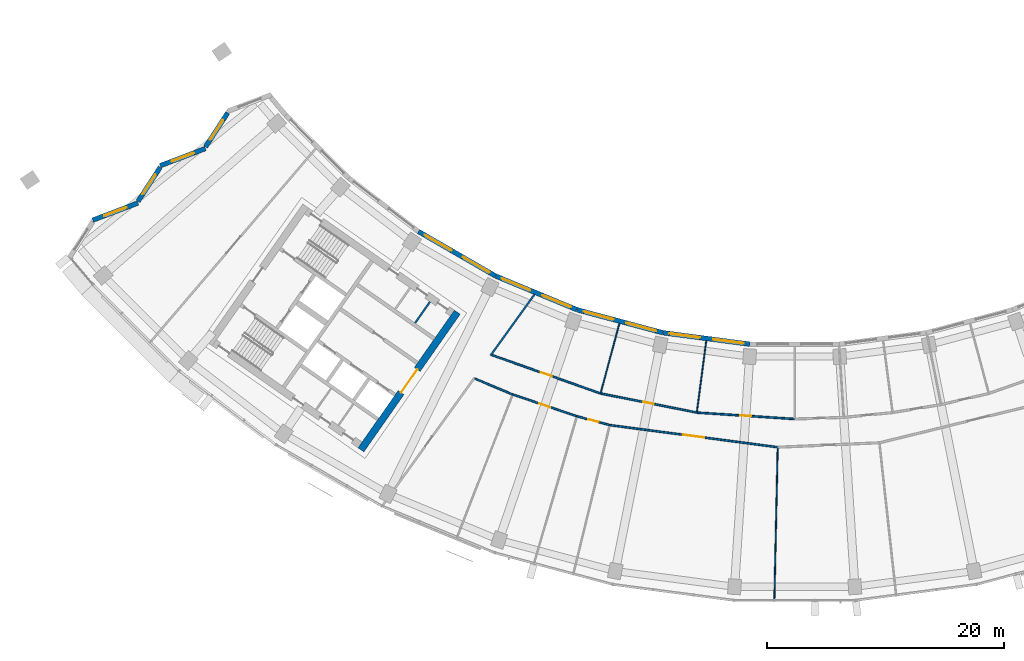
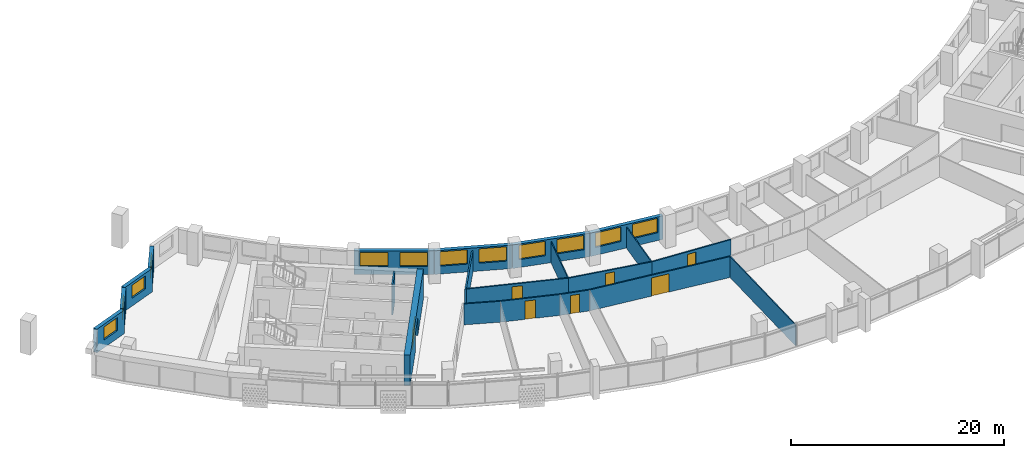
# One storey, part 4 of 26: 21 walls, 12 windows, 7 doors, 19 openings.
"""IFC4 building model written with IfcOpenShell, lengths in metres."""

from ifc_helpers import new_model, si_unit, direction, frame, frame_2d, origin, place, context, subcontext, project, spatial, rectangle, extrude, material, layer, layer_set, type_object, element, fill, save


model = new_model("IFC4")

# Units and contexts
model_context = context("Model", 3, precision=1e-05, world=origin(), true_north=direction((0.0, 1.0)))
body_context = subcontext(model_context, "Body", "Model", "MODEL_VIEW")
ifc_project = project(units=[si_unit("LENGTHUNIT", "METRE"), si_unit("AREAUNIT", "SQUARE_METRE"), si_unit("VOLUMEUNIT", "CUBIC_METRE"), si_unit("PLANEANGLEUNIT", "RADIAN"), si_unit("MASSUNIT", "GRAM", prefix="KILO")], contexts=[model_context])

# Site, building, storey
site_placement = place(None, origin())
site = spatial("IfcSite", under=ifc_project, at=site_placement, CompositionType="ELEMENT")
building_placement = place(site_placement, origin())
building = spatial("IfcBuilding", under=site, at=building_placement, Name="Qamariyya Broadcast Tower", CompositionType="ELEMENT")
storey_placement = place(building_placement, frame((0.0, 0.0, 183.5)))
storey = spatial("IfcBuildingStorey", under=building, at=storey_placement, Name="L43", CompositionType="ELEMENT", Elevation=183.5)

# Wall, opening, door
ifc_material_1 = material(Name="Concrete C60/75", Category="concrete")
ifc_layer_1 = layer(ifc_material_1, 0.60009765625)
ifc_layer_set_1 = layer_set([ifc_layer_1], Name="Core wall 600 mm Concrete C60/75")
wall_type_1 = type_object("IfcWallType", Name="Core wall 600 mm Concrete C60/75", PredefinedType="SHEAR", material=ifc_layer_set_1)
wall_1_placement = place(storey_placement, frame((-36.66748046875, -66.005126953125, 0.0), z_axis=(0.0, 0.0, 1.0), x_axis=(0.573568499524, 0.819157601658, 0.0)))
wall_1 = element("IfcWall", 1, at=wall_1_placement, inside=storey, type_object=wall_type_1, Name="k-W-L43-WA", PredefinedType="SHEAR", context=body_context, shape_type="SweptSolid", body=[
    extrude(rectangle(XDim=14.19970703125, YDim=0.60009765625, at=frame_2d((7.099853515625, 0.0))), origin(), (0.0, 0.0, 1.0), 3.5),
])
opening_1_placement = place(wall_1_placement, frame((5.89990234375, 0.0, 0.0)))
opening_1 = element("IfcOpeningElement", 2, at=opening_1_placement, cuts=wall_1, Name="Opening KD3-W1", PredefinedType="OPENING", context=body_context, shape_type="SweptSolid", body=[
    extrude(rectangle(XDim=2.39990234375, YDim=2.10009765625, at=frame_2d((1.199951171875, 1.050048828125))), frame((0.0, 0.31005859375, 0.0), z_axis=(0.0, -1.0, 0.0), x_axis=(1.0, 0.0, 0.0)), (0.0, 0.0, 1.0), 0.6201171875),
])
ifc_material_2 = material(Name="Steel fire-resisting door leaf", Category="steel")
door_type_1 = type_object("IfcDoorType", Name="Lift lobby door KD3", OperationType="DOUBLE_DOOR_SINGLE_SWING", PredefinedType="DOOR", material=ifc_material_2)
door_1_placement = place(opening_1_placement, origin())
door_1 = element("IfcDoor", 3, at=door_1_placement, inside=storey, type_object=door_type_1, Name="k-W-L43-WA-D1", OperationType="DOUBLE_DOOR_SINGLE_SWING", OverallHeight=2.10009765625, OverallWidth=2.39990234375, PredefinedType="DOOR", context=body_context, shape_type="SweptSolid", body=[
    extrude(rectangle(XDim=2.39990234375, YDim=2.10009765625, at=frame_2d((1.199951171875, 1.050048828125))), frame((0.0, 0.02490234375, 0.0), z_axis=(0.0, -1.0, 0.0), x_axis=(1.0, 0.0, 0.0)), (0.0, 0.0, 1.0), 0.050048828125),
])
fill(opening_1, door_1)

# Wall
ifc_material_3 = material(Name="Gypsum board partition")
ifc_layer_2 = layer(ifc_material_3, 0.14990234375)
ifc_layer_set_2 = layer_set([ifc_layer_2], Name="Corridor partition 150 EI 60")
wall_type_2 = type_object("IfcWallType", Name="Corridor partition 150 EI 60", PredefinedType="PARTITIONING", material=ifc_layer_set_2)
wall_2_placement = place(storey_placement, frame((-27.031494140625, -59.989013671875, 0.0), z_axis=(0.0, 0.0, 1.0), x_axis=(0.921979582273, -0.38723849224, 0.0)))
element("IfcWall", 4, at=wall_2_placement, inside=storey, type_object=wall_type_2, Name="Partition L43-004", PredefinedType="PARTITIONING", context=body_context, shape_type="SweptSolid", body=[
    extrude(rectangle(XDim=3.454345703125, YDim=0.14990234375, at=frame_2d((1.72705078125, 0.0))), origin(), (0.0, 0.0, 1.0), 2.39990234375),
])

# Wall, opening, door
wall_3_placement = place(storey_placement, frame((-25.598388671875, -57.99609375, 0.0), z_axis=(0.0, 0.0, 1.0), x_axis=(0.942977382292, -0.332856810785, 0.0)))
wall_3 = element("IfcWall", 5, at=wall_3_placement, inside=storey, type_object=wall_type_2, Name="Partition L43-005", PredefinedType="PARTITIONING", context=body_context, shape_type="SweptSolid", body=[
    extrude(rectangle(XDim=9.744873046875, YDim=0.14990234375, at=frame_2d((4.87255859375, 0.0))), origin(), (0.0, 0.0, 1.0), 2.39990234375),
])
opening_2_placement = place(wall_3_placement, frame((4.37255859375, 0.0, 0.0)))
opening_2 = element("IfcOpeningElement", 6, at=opening_2_placement, cuts=wall_3, Name="Opening L43-D08", PredefinedType="OPENING", context=body_context, shape_type="SweptSolid", body=[
    extrude(rectangle(XDim=1.0, YDim=2.10009765625, at=frame_2d((0.5, 1.050048828125))), frame((0.0, 0.0849609375, 0.0), z_axis=(0.0, -1.0, 0.0), x_axis=(1.0, 0.0, 0.0)), (0.0, 0.0, 1.0), 0.169921875),
])
ifc_material_4 = material(Name="Timber fire door leaf", Category="wood")
door_type_2 = type_object("IfcDoorType", Name="Fire door 1000 x 2100 FD60", OperationType="NOTDEFINED", PredefinedType="DOOR", material=ifc_material_4)
door_2_placement = place(opening_2_placement, origin())
door_2 = element("IfcDoor", 7, at=door_2_placement, inside=storey, type_object=door_type_2, Name="Door L43-D08", OperationType="SINGLE_SWING_RIGHT", OverallHeight=2.10009765625, OverallWidth=1.0, PredefinedType="DOOR", context=body_context, shape_type="SweptSolid", body=[
    extrude(rectangle(XDim=1.0, YDim=2.10009765625, at=frame_2d((0.5, 1.050048828125))), frame((0.0, 0.02490234375, 0.0), z_axis=(0.0, -1.0, 0.0), x_axis=(1.0, 0.0, 0.0)), (0.0, 0.0, 1.0), 0.050048828125),
])
fill(opening_2, door_2)

wall_4_placement = place(storey_placement, frame((-18.41455078125, -63.170654296875, 0.0), z_axis=(0.0, 0.0, 1.0), x_axis=(-0.94692828042, 0.32144491245, 0.0)))
wall_4 = element("IfcWall", 8, at=wall_4_placement, inside=storey, type_object=wall_type_2, Name="Partition L43-006", PredefinedType="PARTITIONING", context=body_context, shape_type="SweptSolid", body=[
    extrude(rectangle(XDim=5.736572265625, YDim=0.14990234375, at=frame_2d((2.8681640625, 0.0))), origin(), (0.0, 0.0, 1.0), 2.39990234375),
])
opening_3_placement = place(wall_4_placement, frame((2.368408203125, 0.0, 0.0)))
opening_3 = element("IfcOpeningElement", 9, at=opening_3_placement, cuts=wall_4, Name="Opening L43-D02", PredefinedType="OPENING", context=body_context, shape_type="SweptSolid", body=[
    extrude(rectangle(XDim=1.0, YDim=2.10009765625, at=frame_2d((0.5, 1.050048828125))), frame((0.0, 0.0849609375, 0.0), z_axis=(0.0, -1.0, 0.0), x_axis=(1.0, 0.0, 0.0)), (0.0, 0.0, 1.0), 0.169921875),
])
door_3_placement = place(opening_3_placement, origin())
door_3 = element("IfcDoor", 10, at=door_3_placement, inside=storey, type_object=door_type_2, Name="Door L43-D02", OperationType="SINGLE_SWING_RIGHT", OverallHeight=2.10009765625, OverallWidth=1.0, PredefinedType="DOOR", context=body_context, shape_type="SweptSolid", body=[
    extrude(rectangle(XDim=1.0, YDim=2.10009765625, at=frame_2d((0.5, 1.050048828125))), frame((0.0, 0.02490234375, 0.0), z_axis=(0.0, -1.0, 0.0), x_axis=(1.0, 0.0, 0.0)), (0.0, 0.0, 1.0), 0.050048828125),
])
fill(opening_3, door_3)

# Wall
wall_5_placement = place(storey_placement, frame((-22.0, -52.873046875, 0.0), z_axis=(0.0, 0.0, 1.0), x_axis=(-0.58417014289, -0.811631224236, 0.0)))
element("IfcWall", 11, at=wall_5_placement, inside=storey, type_object=wall_type_2, Name="Partition L43-008", PredefinedType="PARTITIONING", context=body_context, shape_type="SweptSolid", body=[
    extrude(rectangle(XDim=6.356201171875, YDim=0.14990234375, at=frame_2d((3.17822265625, 0.0))), origin(), (0.0, 0.0, 1.0), 2.39990234375),
])

# Wall, opening, door
wall_6_placement = place(storey_placement, frame((-15.637939453125, -63.914794921875, 0.0), z_axis=(0.0, 0.0, 1.0), x_axis=(-0.965912791771, 0.258867685687, 0.0)))
wall_6 = element("IfcWall", 12, at=wall_6_placement, inside=storey, type_object=wall_type_2, Name="Partition L43-010", PredefinedType="PARTITIONING", context=body_context, shape_type="SweptSolid", body=[
    extrude(rectangle(XDim=2.87451171875, YDim=0.14990234375, at=frame_2d((1.437255859375, 0.0))), origin(), (0.0, 0.0, 1.0), 2.39990234375),
])
opening_4_placement = place(wall_6_placement, frame((0.9873046875, 0.0, 0.0)))
opening_4 = element("IfcOpeningElement", 13, at=opening_4_placement, cuts=wall_6, Name="Opening L43-D03", PredefinedType="OPENING", context=body_context, shape_type="SweptSolid", body=[
    extrude(rectangle(XDim=0.89990234375, YDim=2.10009765625, at=frame_2d((0.449951171875, 1.050048828125))), frame((0.0, 0.0849609375, 0.0), z_axis=(0.0, -1.0, 0.0), x_axis=(1.0, 0.0, 0.0)), (0.0, 0.0, 1.0), 0.169921875),
])
door_type_3 = type_object("IfcDoorType", Name="Fire door 900 x 2100 FD60", OperationType="NOTDEFINED", PredefinedType="DOOR", material=ifc_material_4)
door_4_placement = place(opening_4_placement, origin())
door_4 = element("IfcDoor", 14, at=door_4_placement, inside=storey, type_object=door_type_3, Name="Door L43-D03", OperationType="SINGLE_SWING_RIGHT", OverallHeight=2.10009765625, OverallWidth=0.89990234375, PredefinedType="DOOR", context=body_context, shape_type="SweptSolid", body=[
    extrude(rectangle(XDim=0.89990234375, YDim=2.10009765625, at=frame_2d((0.449951171875, 1.050048828125))), frame((0.0, 0.02490234375, 0.0), z_axis=(0.0, -1.0, 0.0), x_axis=(1.0, 0.0, 0.0)), (0.0, 0.0, 1.0), 0.050048828125),
])
fill(opening_4, door_4)

wall_7_placement = place(storey_placement, frame((-16.4091796875, -61.23974609375, 0.0), z_axis=(0.0, 0.0, 1.0), x_axis=(0.98078508005, -0.195091329256, 0.0)))
wall_7 = element("IfcWall", 15, at=wall_7_placement, inside=storey, type_object=wall_type_2, Name="Partition L43-011", PredefinedType="PARTITIONING", context=body_context, shape_type="SweptSolid", body=[
    extrude(rectangle(XDim=8.293212890625, YDim=0.14990234375, at=frame_2d((4.146484375, 0.0))), origin(), (0.0, 0.0, 1.0), 2.39990234375),
])
opening_5_placement = place(wall_7_placement, frame((3.696533203125, 0.0, 0.0)))
opening_5 = element("IfcOpeningElement", 16, at=opening_5_placement, cuts=wall_7, Name="Opening L43-D09", PredefinedType="OPENING", context=body_context, shape_type="SweptSolid", body=[
    extrude(rectangle(XDim=0.89990234375, YDim=2.10009765625, at=frame_2d((0.449951171875, 1.050048828125))), frame((0.0, 0.0849609375, 0.0), z_axis=(0.0, -1.0, 0.0), x_axis=(1.0, 0.0, 0.0)), (0.0, 0.0, 1.0), 0.169921875),
])
door_5_placement = place(opening_5_placement, origin())
door_5 = element("IfcDoor", 17, at=door_5_placement, inside=storey, type_object=door_type_3, Name="Door L43-D09", OperationType="SINGLE_SWING_RIGHT", OverallHeight=2.10009765625, OverallWidth=0.89990234375, PredefinedType="DOOR", context=body_context, shape_type="SweptSolid", body=[
    extrude(rectangle(XDim=0.89990234375, YDim=2.10009765625, at=frame_2d((0.449951171875, 1.050048828125))), frame((0.0, 0.02490234375, 0.0), z_axis=(0.0, -1.0, 0.0), x_axis=(1.0, 0.0, 0.0)), (0.0, 0.0, 1.0), 0.050048828125),
])
fill(opening_5, door_5)

wall_8_placement = place(storey_placement, frame((-1.437255859375, -65.7841796875, 0.0), z_axis=(0.0, 0.0, 1.0), x_axis=(-0.991446403545, 0.130514477735, 0.0)))
wall_8 = element("IfcWall", 18, at=wall_8_placement, inside=storey, type_object=wall_type_2, Name="Partition L43-012", PredefinedType="PARTITIONING", context=body_context, shape_type="SweptSolid", body=[
    extrude(rectangle(XDim=14.3232421875, YDim=0.14990234375, at=frame_2d((7.16162109375, 0.0))), origin(), (0.0, 0.0, 1.0), 2.39990234375),
])
opening_6_placement = place(wall_8_placement, frame((6.26171875, 0.0, 0.0)))
opening_6 = element("IfcOpeningElement", 19, at=opening_6_placement, cuts=wall_8, Name="Opening L43-D04", PredefinedType="OPENING", context=body_context, shape_type="SweptSolid", body=[
    extrude(rectangle(XDim=1.800048828125, YDim=2.10009765625, at=frame_2d((0.89990234375, 1.050048828125))), frame((0.0, 0.0849609375, 0.0), z_axis=(0.0, -1.0, 0.0), x_axis=(1.0, 0.0, 0.0)), (0.0, 0.0, 1.0), 0.169921875),
])
door_type_4 = type_object("IfcDoorType", Name="Double fire door 1800 x 2100 FD60", OperationType="NOTDEFINED", PredefinedType="DOOR", material=ifc_material_4)
door_6_placement = place(opening_6_placement, origin())
door_6 = element("IfcDoor", 20, at=door_6_placement, inside=storey, type_object=door_type_4, Name="Door L43-D04", OperationType="DOUBLE_DOOR_SINGLE_SWING", OverallHeight=2.10009765625, OverallWidth=1.800048828125, PredefinedType="DOOR", context=body_context, shape_type="SweptSolid", body=[
    extrude(rectangle(XDim=1.800048828125, YDim=2.10009765625, at=frame_2d((0.89990234375, 1.050048828125))), frame((0.0, 0.02490234375, 0.0), z_axis=(0.0, -1.0, 0.0), x_axis=(1.0, 0.0, 0.0)), (0.0, 0.0, 1.0), 0.050048828125),
])
fill(opening_6, door_6)

wall_9_placement = place(storey_placement, frame((-8.275390625, -62.857666015625, 0.0), z_axis=(0.0, 0.0, 1.0), x_axis=(0.997860193426, -0.065383747038, 0.0)))
wall_9 = element("IfcWall", 21, at=wall_9_placement, inside=storey, type_object=wall_type_2, Name="Partition L43-014", PredefinedType="PARTITIONING", context=body_context, shape_type="SweptSolid", body=[
    extrude(rectangle(XDim=8.293212890625, YDim=0.14990234375, at=frame_2d((4.146484375, 0.0))), origin(), (0.0, 0.0, 1.0), 2.39990234375),
])
opening_7_placement = place(wall_9_placement, frame((3.696533203125, 0.0, 0.0)))
opening_7 = element("IfcOpeningElement", 22, at=opening_7_placement, cuts=wall_9, Name="Opening L43-D10", PredefinedType="OPENING", context=body_context, shape_type="SweptSolid", body=[
    extrude(rectangle(XDim=0.89990234375, YDim=2.10009765625, at=frame_2d((0.449951171875, 1.050048828125))), frame((0.0, 0.0849609375, 0.0), z_axis=(0.0, -1.0, 0.0), x_axis=(1.0, 0.0, 0.0)), (0.0, 0.0, 1.0), 0.169921875),
])
door_7_placement = place(opening_7_placement, origin())
door_7 = element("IfcDoor", 23, at=door_7_placement, inside=storey, type_object=door_type_3, Name="Door L43-D10", OperationType="SINGLE_SWING_RIGHT", OverallHeight=2.10009765625, OverallWidth=0.89990234375, PredefinedType="DOOR", context=body_context, shape_type="SweptSolid", body=[
    extrude(rectangle(XDim=0.89990234375, YDim=2.10009765625, at=frame_2d((0.449951171875, 1.050048828125))), frame((0.0, 0.02490234375, 0.0), z_axis=(0.0, -1.0, 0.0), x_axis=(1.0, 0.0, 0.0)), (0.0, 0.0, 1.0), 0.050048828125),
])
fill(opening_7, door_7)

# Walls
ifc_material_5 = material(Name="Gypsum board partition on steel studs", Category="steel")
ifc_layer_3 = layer(ifc_material_5, 0.14990234375)
ifc_layer_set_3 = layer_set([ifc_layer_3], Name="Gypsum board partition 150 mm")
wall_type_3 = type_object("IfcWallType", Name="Gypsum board partition 150 mm", PredefinedType="PARTITIONING", material=ifc_layer_set_3)
wall_10_placement = place(storey_placement, frame((-32.0947265625, -55.290283203125, 0.0), z_axis=(0.0, 0.0, 1.0), x_axis=(0.573559170999, 0.819164133348, 0.0)))
element("IfcWall", 24, at=wall_10_placement, inside=storey, type_object=wall_type_3, Name="k-W-L43-NP210", PredefinedType="PARTITIONING", context=body_context, shape_type="SweptSolid", body=[
    extrude(rectangle(XDim=2.19970703125, YDim=0.14990234375, at=frame_2d((1.099853515625, 0.0))), origin(), (0.0, 0.0, 1.0), 3.5),
])
ifc_layer_4 = layer(ifc_material_3, 0.10009765625)
ifc_layer_set_4 = layer_set([ifc_layer_4], Name="Partition 100")
wall_type_4 = type_object("IfcWallType", Name="Partition 100", PredefinedType="PARTITIONING", material=ifc_layer_set_4)
for number, where, z_axis, x_axis, name in (
    (25, (-14.82470703125, -55.326171875, 0.0), (0.0, 0.0, 1.0), (-0.258793263352, -0.965932734119, 0.0), "Partition L43-013"),
    (26, (-7.476318359375, -56.787841796875, 0.0), (0.0, 0.0, 1.0), (-0.130526573864, -0.991444811129, 0.0), "Partition L43-015"),
):
    element("IfcWall", number, at=place(storey_placement, frame(where, z_axis=z_axis, x_axis=x_axis)), inside=storey, type_object=wall_type_4, Name=name, PredefinedType="PARTITIONING", context=body_context, shape_type="SweptSolid", body=[
        extrude(rectangle(XDim=6.047119140625, YDim=0.10009765625, at=frame_2d((3.0234375, 0.0))), origin(), (0.0, 0.0, 1.0), 2.39990234375),
    ])
wall_11_placement = place(storey_placement, frame((-1.718017578125, -78.630859375, 0.0), z_axis=(0.0, 0.0, 1.0), x_axis=(0.021844457465, 0.99976138137, 0.0)))
element("IfcWall", 27, at=wall_11_placement, inside=storey, type_object=wall_type_4, Name="Partition L43-016", PredefinedType="PARTITIONING", context=body_context, shape_type="SweptSolid", body=[
    extrude(rectangle(XDim=12.7744140625, YDim=0.10009765625, at=frame_2d((6.38720703125, 0.0))), origin(), (0.0, 0.0, 1.0), 2.39990234375),
])

# Wall, opening, window
ifc_material_6 = material(Name="Terracotta", Category="masonry")
ifc_layer_5 = layer(ifc_material_6, 0.39990234375)
ifc_layer_set_5 = layer_set([ifc_layer_5], Name="Terracotta clad wall 400")
wall_type_5 = type_object("IfcWallType", Name="Terracotta clad wall 400", PredefinedType="SOLIDWALL", material=ifc_layer_set_5)
wall_12_placement = place(storey_placement, frame((-47.9345703125, -37.509521484375, 0.0), z_axis=(0.0, 0.0, 1.0), x_axis=(-0.544933466688, -0.838479288285, 0.0)))
wall_12 = element("IfcWall", 28, at=wall_12_placement, inside=storey, type_object=wall_type_5, Name="e-wl-L43-capW1", PredefinedType="SOLIDWALL", context=body_context, shape_type="SweptSolid", body=[
    extrude(rectangle(XDim=3.43994140625, YDim=0.39990234375, at=frame_2d((1.719970703125, 0.0))), origin(), (0.0, 0.0, 1.0), 2.699951171875),
])
opening_8_placement = place(wall_12_placement, frame((0.719970703125, 0.0, 0.89990234375)))
opening_8 = element("IfcOpeningElement", 29, at=opening_8_placement, cuts=wall_12, Name="Opening W4", PredefinedType="OPENING", context=body_context, shape_type="SweptSolid", body=[
    extrude(rectangle(XDim=2.0, YDim=1.5, at=frame_2d((1.0, 0.75))), frame((0.0, 0.2099609375, 0.0), z_axis=(0.0, -1.0, 0.0), x_axis=(1.0, 0.0, 0.0)), (0.0, 0.0, 1.0), 0.419921875),
])
ifc_material_7 = material(Name="Clear low-e double glazed unit in aluminium frame", Category="aluminium")
window_type_1 = type_object("IfcWindowType", Name="Horn bay window 2000 x 1500", PartitioningType="SINGLE_PANEL", PredefinedType="WINDOW", material=ifc_material_7)
window_1_placement = place(opening_8_placement, origin())
window_1 = element("IfcWindow", 30, at=window_1_placement, inside=storey, type_object=window_type_1, Name="e-w-L43-capW1", OverallHeight=1.5, OverallWidth=2.0, PartitioningType="SINGLE_PANEL", PredefinedType="WINDOW", context=body_context, shape_type="SweptSolid", body=[
    extrude(rectangle(XDim=2.0, YDim=1.5, at=frame_2d((1.0, 0.75))), frame((0.0, 0.030029296875, 0.0), z_axis=(0.0, -1.0, 0.0), x_axis=(1.0, 0.0, 0.0)), (0.0, 0.0, 1.0), 0.06005859375),
])
fill(opening_8, window_1)

wall_13_placement = place(storey_placement, frame((-49.81396484375, -40.53125, 0.0), z_axis=(0.0, 0.0, 1.0), x_axis=(-0.935187918462, -0.354151884314, 0.0)))
wall_13 = element("IfcWall", 31, at=wall_13_placement, inside=storey, type_object=wall_type_5, Name="e-wl-L43-capW2", PredefinedType="SOLIDWALL", context=body_context, shape_type="SweptSolid", body=[
    extrude(rectangle(XDim=4.087890625, YDim=0.39990234375, at=frame_2d((2.0439453125, 0.0))), origin(), (0.0, 0.0, 1.0), 2.699951171875),
])
opening_9_placement = place(wall_13_placement, frame((1.0439453125, 0.0, 0.89990234375)))
opening_9 = element("IfcOpeningElement", 32, at=opening_9_placement, cuts=wall_13, Name="Opening W4", PredefinedType="OPENING", context=body_context, shape_type="SweptSolid", body=[
    extrude(rectangle(XDim=2.0, YDim=1.5, at=frame_2d((1.0, 0.75))), frame((0.0, 0.2099609375, 0.0), z_axis=(0.0, -1.0, 0.0), x_axis=(1.0, 0.0, 0.0)), (0.0, 0.0, 1.0), 0.419921875),
])
window_2_placement = place(opening_9_placement, origin())
window_2 = element("IfcWindow", 33, at=window_2_placement, inside=storey, type_object=window_type_1, Name="e-w-L43-capW2", OverallHeight=1.5, OverallWidth=2.0, PartitioningType="SINGLE_PANEL", PredefinedType="WINDOW", context=body_context, shape_type="SweptSolid", body=[
    extrude(rectangle(XDim=2.0, YDim=1.5, at=frame_2d((1.0, 0.75))), frame((0.0, 0.030029296875, 0.0), z_axis=(0.0, -1.0, 0.0), x_axis=(1.0, 0.0, 0.0)), (0.0, 0.0, 1.0), 0.06005859375),
])
fill(opening_9, window_2)

wall_14_placement = place(storey_placement, frame((-53.6416015625, -42.11669921875, 0.0), z_axis=(0.0, 0.0, 1.0), x_axis=(-0.544863562054, -0.838524715644, 0.0)))
wall_14 = element("IfcWall", 34, at=wall_14_placement, inside=storey, type_object=wall_type_5, Name="e-wl-L43-capW3", PredefinedType="SOLIDWALL", context=body_context, shape_type="SweptSolid", body=[
    extrude(rectangle(XDim=3.4384765625, YDim=0.39990234375, at=frame_2d((1.71923828125, 0.0))), origin(), (0.0, 0.0, 1.0), 2.699951171875),
])
opening_10_placement = place(wall_14_placement, frame((0.71923828125, 0.0, 0.89990234375)))
opening_10 = element("IfcOpeningElement", 35, at=opening_10_placement, cuts=wall_14, Name="Opening W4", PredefinedType="OPENING", context=body_context, shape_type="SweptSolid", body=[
    extrude(rectangle(XDim=2.0, YDim=1.5, at=frame_2d((1.0, 0.75))), frame((0.0, 0.2099609375, 0.0), z_axis=(0.0, -1.0, 0.0), x_axis=(1.0, 0.0, 0.0)), (0.0, 0.0, 1.0), 0.419921875),
])
window_3_placement = place(opening_10_placement, origin())
window_3 = element("IfcWindow", 36, at=window_3_placement, inside=storey, type_object=window_type_1, Name="e-w-L43-capW3", OverallHeight=1.5, OverallWidth=2.0, PartitioningType="SINGLE_PANEL", PredefinedType="WINDOW", context=body_context, shape_type="SweptSolid", body=[
    extrude(rectangle(XDim=2.0, YDim=1.5, at=frame_2d((1.0, 0.75))), frame((0.0, 0.030029296875, 0.0), z_axis=(0.0, -1.0, 0.0), x_axis=(1.0, 0.0, 0.0)), (0.0, 0.0, 1.0), 0.06005859375),
])
fill(opening_10, window_3)

wall_15_placement = place(storey_placement, frame((-55.52001953125, -45.137451171875, 0.0), z_axis=(0.0, 0.0, 1.0), x_axis=(-0.935151053983, -0.354249214869, 0.0)))
wall_15 = element("IfcWall", 37, at=wall_15_placement, inside=storey, type_object=wall_type_5, Name="e-wl-L43-capW4", PredefinedType="SOLIDWALL", context=body_context, shape_type="SweptSolid", body=[
    extrude(rectangle(XDim=4.0888671875, YDim=0.39990234375, at=frame_2d((2.04443359375, 0.0))), origin(), (0.0, 0.0, 1.0), 2.699951171875),
])
opening_11_placement = place(wall_15_placement, frame((1.04443359375, 0.0, 0.89990234375)))
opening_11 = element("IfcOpeningElement", 38, at=opening_11_placement, cuts=wall_15, Name="Opening W4", PredefinedType="OPENING", context=body_context, shape_type="SweptSolid", body=[
    extrude(rectangle(XDim=2.0, YDim=1.5, at=frame_2d((1.0, 0.75))), frame((0.0, 0.2099609375, 0.0), z_axis=(0.0, -1.0, 0.0), x_axis=(1.0, 0.0, 0.0)), (0.0, 0.0, 1.0), 0.419921875),
])
window_4_placement = place(opening_11_placement, origin())
window_4 = element("IfcWindow", 39, at=window_4_placement, inside=storey, type_object=window_type_1, Name="e-w-L43-capW4", OverallHeight=1.5, OverallWidth=2.0, PartitioningType="SINGLE_PANEL", PredefinedType="WINDOW", context=body_context, shape_type="SweptSolid", body=[
    extrude(rectangle(XDim=2.0, YDim=1.5, at=frame_2d((1.0, 0.75))), frame((0.0, 0.030029296875, 0.0), z_axis=(0.0, -1.0, 0.0), x_axis=(1.0, 0.0, 0.0)), (0.0, 0.0, 1.0), 0.06005859375),
])
fill(opening_11, window_4)

# Wall, openings, windows
wall_16_placement = place(storey_placement, frame((-25.27734375, -51.31396484375, 0.0), z_axis=(0.0, 0.0, 1.0), x_axis=(-0.866028517328, 0.499994607145, 0.0)))
wall_16 = element("IfcWall", 40, at=wall_16_placement, inside=storey, type_object=wall_type_5, Name="e-wl-L43-in30", PredefinedType="SOLIDWALL", context=body_context, shape_type="SweptSolid", body=[
    extrude(rectangle(XDim=7.5322265625, YDim=0.39990234375, at=frame_2d((3.76611328125, 0.0))), origin(), (0.0, 0.0, 1.0), 2.699951171875),
])
opening_12_placement = place(wall_16_placement, frame((4.330078125, 0.0, 0.89990234375)))
opening_12 = element("IfcOpeningElement", 41, at=opening_12_placement, cuts=wall_16, Name="Opening W1", PredefinedType="OPENING", context=body_context, shape_type="SweptSolid", body=[
    extrude(rectangle(XDim=2.60009765625, YDim=1.64990234375, at=frame_2d((1.300048828125, 0.824951171875))), frame((0.0, 0.2099609375, 0.0), z_axis=(0.0, -1.0, 0.0), x_axis=(1.0, 0.0, 0.0)), (0.0, 0.0, 1.0), 0.419921875),
])
opening_13_placement = place(wall_16_placement, frame((0.60205078125, 0.0, 0.89990234375)))
opening_13 = element("IfcOpeningElement", 42, at=opening_13_placement, cuts=wall_16, Name="Opening W1", PredefinedType="OPENING", context=body_context, shape_type="SweptSolid", body=[
    extrude(rectangle(XDim=2.60009765625, YDim=1.64990234375, at=frame_2d((1.300048828125, 0.824951171875))), frame((0.0, 0.2099609375, 0.0), z_axis=(0.0, -1.0, 0.0), x_axis=(1.0, 0.0, 0.0)), (0.0, 0.0, 1.0), 0.419921875),
])
window_type_2 = type_object("IfcWindowType", Name="Ribbon window 2600 x 1650", PartitioningType="SINGLE_PANEL", PredefinedType="WINDOW", material=ifc_material_7)
window_5_placement = place(opening_12_placement, origin())
window_5 = element("IfcWindow", 43, at=window_5_placement, inside=storey, type_object=window_type_2, Name="e-w-L43-in03-0", OverallHeight=1.64990234375, OverallWidth=2.60009765625, PartitioningType="SINGLE_PANEL", PredefinedType="WINDOW", context=body_context, shape_type="SweptSolid", body=[
    extrude(rectangle(XDim=2.60009765625, YDim=1.64990234375, at=frame_2d((1.300048828125, 0.824951171875))), frame((0.0, 0.030029296875, 0.0), z_axis=(0.0, -1.0, 0.0), x_axis=(1.0, 0.0, 0.0)), (0.0, 0.0, 1.0), 0.06005859375),
])
fill(opening_12, window_5)
window_6_placement = place(opening_13_placement, origin())
window_6 = element("IfcWindow", 44, at=window_6_placement, inside=storey, type_object=window_type_2, Name="e-w-L43-in03-1", OverallHeight=1.64990234375, OverallWidth=2.60009765625, PartitioningType="SINGLE_PANEL", PredefinedType="WINDOW", context=body_context, shape_type="SweptSolid", body=[
    extrude(rectangle(XDim=2.60009765625, YDim=1.64990234375, at=frame_2d((1.300048828125, 0.824951171875))), frame((0.0, 0.030029296875, 0.0), z_axis=(0.0, -1.0, 0.0), x_axis=(1.0, 0.0, 0.0)), (0.0, 0.0, 1.0), 0.06005859375),
])
fill(opening_13, window_6)

wall_17_placement = place(storey_placement, frame((-18.433349609375, -54.1455078125, 0.0), z_axis=(0.0, 0.0, 1.0), x_axis=(-0.923867659443, 0.382712095229, 0.0)))
wall_17 = element("IfcWall", 45, at=wall_17_placement, inside=storey, type_object=wall_type_5, Name="e-wl-L43-in40", PredefinedType="SOLIDWALL", context=body_context, shape_type="SweptSolid", body=[
    extrude(rectangle(XDim=7.380859375, YDim=0.39990234375, at=frame_2d((3.6904296875, 0.0))), origin(), (0.0, 0.0, 1.0), 2.699951171875),
])
opening_14_placement = place(wall_17_placement, frame((4.25439453125, 0.0, 0.89990234375)))
opening_14 = element("IfcOpeningElement", 46, at=opening_14_placement, cuts=wall_17, Name="Opening W1", PredefinedType="OPENING", context=body_context, shape_type="SweptSolid", body=[
    extrude(rectangle(XDim=2.60009765625, YDim=1.64990234375, at=frame_2d((1.300048828125, 0.824951171875))), frame((0.0, 0.2099609375, 0.0), z_axis=(0.0, -1.0, 0.0), x_axis=(1.0, 0.0, 0.0)), (0.0, 0.0, 1.0), 0.419921875),
])
opening_15_placement = place(wall_17_placement, frame((0.5263671875, 0.0, 0.89990234375)))
opening_15 = element("IfcOpeningElement", 47, at=opening_15_placement, cuts=wall_17, Name="Opening W1", PredefinedType="OPENING", context=body_context, shape_type="SweptSolid", body=[
    extrude(rectangle(XDim=2.60009765625, YDim=1.64990234375, at=frame_2d((1.300048828125, 0.824951171875))), frame((0.0, 0.2099609375, 0.0), z_axis=(0.0, -1.0, 0.0), x_axis=(1.0, 0.0, 0.0)), (0.0, 0.0, 1.0), 0.419921875),
])
window_7_placement = place(opening_14_placement, origin())
window_7 = element("IfcWindow", 48, at=window_7_placement, inside=storey, type_object=window_type_2, Name="e-w-L43-in04-0", OverallHeight=1.64990234375, OverallWidth=2.60009765625, PartitioningType="SINGLE_PANEL", PredefinedType="WINDOW", context=body_context, shape_type="SweptSolid", body=[
    extrude(rectangle(XDim=2.60009765625, YDim=1.64990234375, at=frame_2d((1.300048828125, 0.824951171875))), frame((0.0, 0.030029296875, 0.0), z_axis=(0.0, -1.0, 0.0), x_axis=(1.0, 0.0, 0.0)), (0.0, 0.0, 1.0), 0.06005859375),
])
fill(opening_14, window_7)
window_8_placement = place(opening_15_placement, origin())
window_8 = element("IfcWindow", 49, at=window_8_placement, inside=storey, type_object=window_type_2, Name="e-w-L43-in04-1", OverallHeight=1.64990234375, OverallWidth=2.60009765625, PartitioningType="SINGLE_PANEL", PredefinedType="WINDOW", context=body_context, shape_type="SweptSolid", body=[
    extrude(rectangle(XDim=2.60009765625, YDim=1.64990234375, at=frame_2d((1.300048828125, 0.824951171875))), frame((0.0, 0.030029296875, 0.0), z_axis=(0.0, -1.0, 0.0), x_axis=(1.0, 0.0, 0.0)), (0.0, 0.0, 1.0), 0.06005859375),
])
fill(opening_15, window_8)

wall_18_placement = place(storey_placement, frame((-11.135009765625, -56.10791015625, 0.0), z_axis=(0.0, 0.0, 1.0), x_axis=(-0.965927073219, 0.258814391452, 0.0)))
wall_18 = element("IfcWall", 50, at=wall_18_placement, inside=storey, type_object=wall_type_5, Name="e-wl-L43-in50", PredefinedType="SOLIDWALL", context=body_context, shape_type="SweptSolid", body=[
    extrude(rectangle(XDim=7.5322265625, YDim=0.39990234375, at=frame_2d((3.76611328125, 0.0))), origin(), (0.0, 0.0, 1.0), 2.699951171875),
])
opening_16_placement = place(wall_18_placement, frame((4.330078125, 0.0, 0.89990234375)))
opening_16 = element("IfcOpeningElement", 51, at=opening_16_placement, cuts=wall_18, Name="Opening W1", PredefinedType="OPENING", context=body_context, shape_type="SweptSolid", body=[
    extrude(rectangle(XDim=2.60009765625, YDim=1.64990234375, at=frame_2d((1.300048828125, 0.824951171875))), frame((0.0, 0.2099609375, 0.0), z_axis=(0.0, -1.0, 0.0), x_axis=(1.0, 0.0, 0.0)), (0.0, 0.0, 1.0), 0.419921875),
])
opening_17_placement = place(wall_18_placement, frame((0.60205078125, 0.0, 0.89990234375)))
opening_17 = element("IfcOpeningElement", 52, at=opening_17_placement, cuts=wall_18, Name="Opening W1", PredefinedType="OPENING", context=body_context, shape_type="SweptSolid", body=[
    extrude(rectangle(XDim=2.60009765625, YDim=1.64990234375, at=frame_2d((1.300048828125, 0.824951171875))), frame((0.0, 0.2099609375, 0.0), z_axis=(0.0, -1.0, 0.0), x_axis=(1.0, 0.0, 0.0)), (0.0, 0.0, 1.0), 0.419921875),
])
window_9_placement = place(opening_16_placement, origin())
window_9 = element("IfcWindow", 53, at=window_9_placement, inside=storey, type_object=window_type_2, Name="e-w-L43-in05-0", OverallHeight=1.64990234375, OverallWidth=2.60009765625, PartitioningType="SINGLE_PANEL", PredefinedType="WINDOW", context=body_context, shape_type="SweptSolid", body=[
    extrude(rectangle(XDim=2.60009765625, YDim=1.64990234375, at=frame_2d((1.300048828125, 0.824951171875))), frame((0.0, 0.030029296875, 0.0), z_axis=(0.0, -1.0, 0.0), x_axis=(1.0, 0.0, 0.0)), (0.0, 0.0, 1.0), 0.06005859375),
])
fill(opening_16, window_9)
window_10_placement = place(opening_17_placement, origin())
window_10 = element("IfcWindow", 54, at=window_10_placement, inside=storey, type_object=window_type_2, Name="e-w-L43-in05-1", OverallHeight=1.64990234375, OverallWidth=2.60009765625, PartitioningType="SINGLE_PANEL", PredefinedType="WINDOW", context=body_context, shape_type="SweptSolid", body=[
    extrude(rectangle(XDim=2.60009765625, YDim=1.64990234375, at=frame_2d((1.300048828125, 0.824951171875))), frame((0.0, 0.030029296875, 0.0), z_axis=(0.0, -1.0, 0.0), x_axis=(1.0, 0.0, 0.0)), (0.0, 0.0, 1.0), 0.06005859375),
])
fill(opening_17, window_10)

wall_19_placement = place(storey_placement, frame((-3.79150390625, -57.0712890625, 0.0), z_axis=(0.0, 0.0, 1.0), x_axis=(-0.99144438474, 0.130529812564, 0.0)))
wall_19 = element("IfcWall", 55, at=wall_19_placement, inside=storey, type_object=wall_type_5, Name="e-wl-L43-in60", PredefinedType="SOLIDWALL", context=body_context, shape_type="SweptSolid", body=[
    extrude(rectangle(XDim=7.380615234375, YDim=0.39990234375, at=frame_2d((3.6904296875, 0.0))), origin(), (0.0, 0.0, 1.0), 2.699951171875),
])
opening_18_placement = place(wall_19_placement, frame((4.25439453125, 0.0, 0.89990234375)))
opening_18 = element("IfcOpeningElement", 56, at=opening_18_placement, cuts=wall_19, Name="Opening W1", PredefinedType="OPENING", context=body_context, shape_type="SweptSolid", body=[
    extrude(rectangle(XDim=2.60009765625, YDim=1.64990234375, at=frame_2d((1.300048828125, 0.824951171875))), frame((0.0, 0.2099609375, 0.0), z_axis=(0.0, -1.0, 0.0), x_axis=(1.0, 0.0, 0.0)), (0.0, 0.0, 1.0), 0.419921875),
])
opening_19_placement = place(wall_19_placement, frame((0.5263671875, 0.0, 0.89990234375)))
opening_19 = element("IfcOpeningElement", 57, at=opening_19_placement, cuts=wall_19, Name="Opening W1", PredefinedType="OPENING", context=body_context, shape_type="SweptSolid", body=[
    extrude(rectangle(XDim=2.60009765625, YDim=1.64990234375, at=frame_2d((1.300048828125, 0.824951171875))), frame((0.0, 0.2099609375, 0.0), z_axis=(0.0, -1.0, 0.0), x_axis=(1.0, 0.0, 0.0)), (0.0, 0.0, 1.0), 0.419921875),
])
window_11_placement = place(opening_18_placement, origin())
window_11 = element("IfcWindow", 58, at=window_11_placement, inside=storey, type_object=window_type_2, Name="e-w-L43-in06-0", OverallHeight=1.64990234375, OverallWidth=2.60009765625, PartitioningType="SINGLE_PANEL", PredefinedType="WINDOW", context=body_context, shape_type="SweptSolid", body=[
    extrude(rectangle(XDim=2.60009765625, YDim=1.64990234375, at=frame_2d((1.300048828125, 0.824951171875))), frame((0.0, 0.030029296875, 0.0), z_axis=(0.0, -1.0, 0.0), x_axis=(1.0, 0.0, 0.0)), (0.0, 0.0, 1.0), 0.06005859375),
])
fill(opening_18, window_11)
window_12_placement = place(opening_19_placement, origin())
window_12 = element("IfcWindow", 59, at=window_12_placement, inside=storey, type_object=window_type_2, Name="e-w-L43-in06-1", OverallHeight=1.64990234375, OverallWidth=2.60009765625, PartitioningType="SINGLE_PANEL", PredefinedType="WINDOW", context=body_context, shape_type="SweptSolid", body=[
    extrude(rectangle(XDim=2.60009765625, YDim=1.64990234375, at=frame_2d((1.300048828125, 0.824951171875))), frame((0.0, 0.030029296875, 0.0), z_axis=(0.0, -1.0, 0.0), x_axis=(1.0, 0.0, 0.0)), (0.0, 0.0, 1.0), 0.06005859375),
])
fill(opening_19, window_12)

save(model, "model.ifc")
